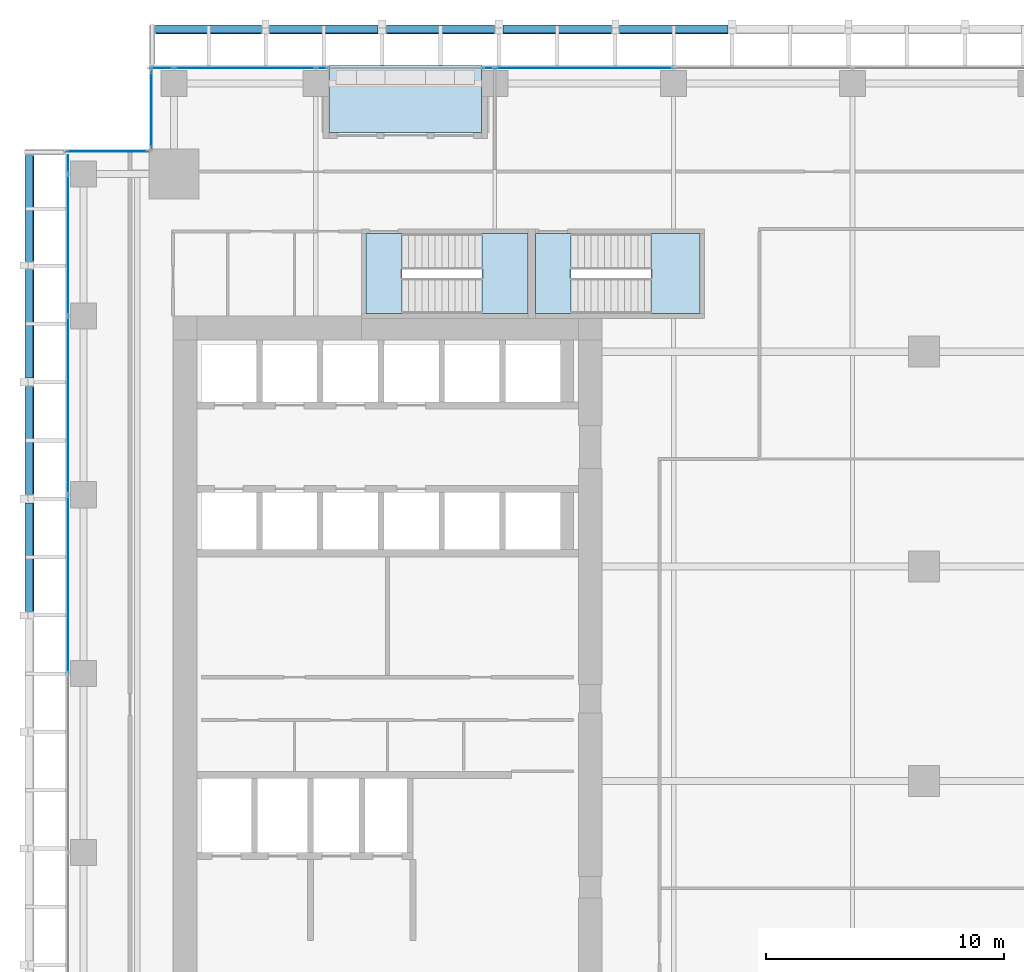
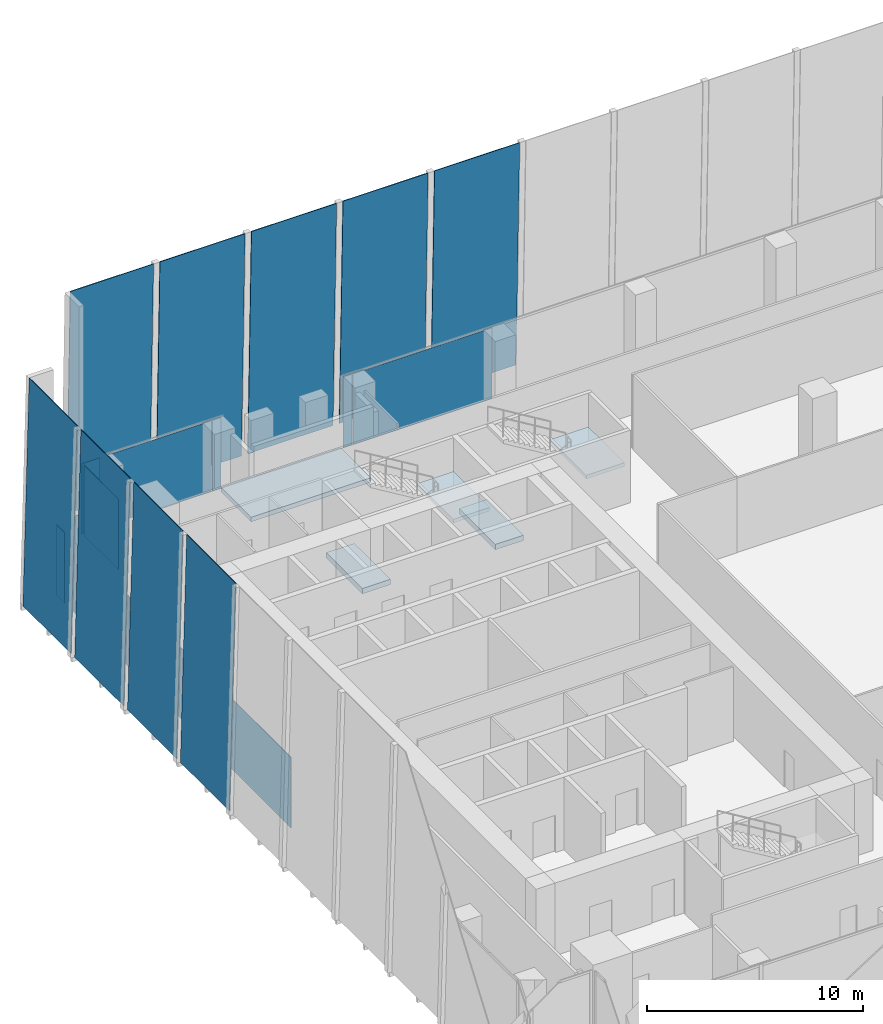
# One storey, part 26 of 36: 20 plates, 5 slabs, 7 elements without a shape of their own.
"""IFC4 building model written with IfcOpenShell, lengths in metres."""

from ifc_helpers import new_model, si_unit, direction, frame, origin, origin_2d, place, context, subcontext, project, spatial, polyline, rectangle, outline, extrude, source, transform, mapped, material, layer, layer_set, type_object, element, aggregate, save


model = new_model("IFC4")

# Units and contexts
model_context = context("Model", 3, precision=1e-05, world=origin(), true_north=direction((0.0, 1.0)))
body_context = subcontext(model_context, "Body", "Model", "MODEL_VIEW")
ifc_project = project(units=[si_unit("LENGTHUNIT", "METRE"), si_unit("AREAUNIT", "SQUARE_METRE"), si_unit("VOLUMEUNIT", "CUBIC_METRE"), si_unit("PLANEANGLEUNIT", "RADIAN"), si_unit("MASSUNIT", "GRAM", prefix="KILO")], contexts=[model_context])

# Site, building, storey
site_placement = place(None, origin())
site = spatial("IfcSite", under=ifc_project, at=site_placement, CompositionType="ELEMENT")
building_placement = place(site_placement, origin())
building = spatial("IfcBuilding", under=site, at=building_placement, Name="Khomas Fold Tower", CompositionType="ELEMENT")
storey_placement = place(building_placement, frame((0.0, 0.0, 141.10009765625)))
storey = spatial("IfcBuildingStorey", under=building, at=storey_placement, Name="L30", CompositionType="ELEMENT", Elevation=141.10009765625)

# Plates
ifc_material_1 = material(Name="Clear laminated glass", Category="glass")
ifc_layer_1 = layer(ifc_material_1, 0.0400390625)
ifc_layer_set_1 = layer_set([ifc_layer_1], Name="Clear laminated glass")
plate_type_1 = type_object("IfcPlateType", Name="SK-Clear laminated glass leaf", PredefinedType="SHEET", material=ifc_layer_set_1)
plate_1_placement = place(storey_placement, frame((5.27001953125, 54.203125, 0.0009765625), z_axis=(0.0, 0.9996570913, 0.026185870498), x_axis=(1.0, 0.0, 0.0)))
element("IfcPlate", 1, at=plate_1_placement, inside=storey, type_object=plate_type_1, Name="OUTER SKIN glass L30 N1", PredefinedType="SHEET", context=body_context, shape_type="SweptSolid", body=[
    extrude(outline(polyline([(0.0, 0.0), (4.448974609375, 0.0), (4.448974609375, -12.754373585666377), (0.0, -12.754373585666377), (0.0, 0.0)])), origin(), (0.0, 0.0, -1.0), 0.0400390625),
])
for number, where, z_axis, x_axis, name in (
    (2, (10.058837890625, 54.203125, 0.0009765625), (0.0, 0.9996570913, 0.026185870498), (1.0, 0.0, 0.0), "OUTER SKIN glass L30 N3"),
    (3, (14.94775390625, 54.203125, 0.0009765625), (0.0, 0.9996570913, 0.026185870498), (1.0, 0.0, 0.0), "OUTER SKIN glass L30 N5"),
    (4, (19.836669921875, 54.203125, 0.0009765625), (0.0, 0.9996570913, 0.026185870498), (1.0, 0.0, 0.0), "OUTER SKIN glass L30 N7"),
    (5, (24.7255859375, 54.203125, 0.0009765625), (0.0, 0.9996570913, 0.026185870498), (1.0, 0.0, 0.0), "OUTER SKIN glass L30 N9"),
    (6, (-0.203125, 29.614501953125, 0.0009765625), (-0.9996570913, 0.0, 0.026185870498), (0.0, 1.0, 0.0), "OUTER SKIN glass L30 W11"),
    (7, (-0.203125, 34.50341796875, 0.0009765625), (-0.9996570913, 0.0, 0.026185870498), (0.0, 1.0, 0.0), "OUTER SKIN glass L30 W13"),
    (8, (-0.203125, 39.392333984375, 0.0009765625), (-0.9996570913, 0.0, 0.026185870498), (0.0, 1.0, 0.0), "OUTER SKIN glass L30 W15"),
):
    element("IfcPlate", number, at=place(storey_placement, frame(where, z_axis=z_axis, x_axis=x_axis)), inside=storey, type_object=plate_type_1, Name=name, PredefinedType="SHEET", context=body_context, shape_type="SweptSolid", body=[
        extrude(outline(polyline([(0.0, 0.0), (4.548828125, 0.0), (4.548828125, -12.754373585666377), (0.0, -12.754373585666377), (0.0, 0.0)])), origin(), (0.0, 0.0, -1.0), 0.0400390625),
    ])
plate_2_placement = place(storey_placement, frame((-0.203125, 44.281005859375, 0.0009765625), z_axis=(-0.9996570913, 0.0, 0.026185870498), x_axis=(0.0, 1.0, 0.0)))
element("IfcPlate", 9, at=plate_2_placement, inside=storey, type_object=plate_type_1, Name="OUTER SKIN glass L30 W17", PredefinedType="SHEET", context=body_context, shape_type="SweptSolid", body=[
    extrude(outline(polyline([(0.0, 0.0), (4.448974609375, 0.0), (4.448974609375, -12.754373585666377), (0.0, -12.754373585666377), (0.0, 0.0)])), origin(), (0.0, 0.0, -1.0), 0.0400390625),
])

# Curtain wall, plate
ifc_material_2 = material(Name="Aluminium framed double glazing", Category="aluminium")
curtain_wall_type = type_object("IfcCurtainWallType", Name="SK-Unitised clear-glass wall, growing floors CW1", PredefinedType="NOTDEFINED", material=ifc_material_2)
curtain_wall_1_placement = place(storey_placement, origin())
curtain_wall_1 = element("IfcCurtainWall", 10, at=curtain_wall_1_placement, inside=storey, type_object=curtain_wall_type, Name="CW1 run L30 09-0", PredefinedType="NOTDEFINED")
ifc_material_3 = material(Name="Clear double glazed unit")
ifc_layer_2 = layer(ifc_material_3, 0.031982421875)
ifc_layer_set_2 = layer_set([ifc_layer_2], Name="Clear double glazed unit")
plate_type_2 = type_object("IfcPlateType", Name="SK-Unitised clear-glass wall, growing floors glass panel CW1-P", PredefinedType="CURTAIN_PANEL", material=ifc_layer_set_2)
shared_shape_1 = source(origin(), body_context, "Body", "SweptSolid", [
    extrude(rectangle(XDim=0.760009765625, YDim=0.031982421875, at=origin_2d()), origin(), (0.0, 0.0, 1.0), 3.97998046875),
])
plate_3_placement = place(storey_placement, frame((1.60009765625, 48.360107421875, 0.0), z_axis=(0.0, 0.0, 1.0), x_axis=(0.0, -1.0, 0.0)))
plate_3 = element("IfcPlate", 11, at=plate_3_placement, type_object=plate_type_2, Name="CW1 glass panel 1", PredefinedType="CURTAIN_PANEL", context=body_context, shape_type="MappedRepresentation", body=[
    mapped(shared_shape_1, transform((0.0, 0.0, 0.0))),
])

curtain_wall_2_placement = place(storey_placement, origin())
curtain_wall_2 = element("IfcCurtainWall", 12, at=curtain_wall_2_placement, inside=storey, type_object=curtain_wall_type, Name="CW1 run L30 06-1", PredefinedType="NOTDEFINED")
shared_shape_2 = source(origin(), body_context, "Body", "SweptSolid", [
    extrude(rectangle(XDim=5.889892578125, YDim=0.031982421875, at=origin_2d()), origin(), (0.0, 0.0, 1.0), 3.97998046875),
])
plate_4_placement = place(storey_placement, frame((9.02490234375, 52.39990234375, 0.0), z_axis=(0.0, 0.0, 1.0), x_axis=(-1.0, 0.0, 0.0)))
plate_4 = element("IfcPlate", 13, at=plate_4_placement, type_object=plate_type_2, Name="CW1 glass panel 2", PredefinedType="CURTAIN_PANEL", context=body_context, shape_type="MappedRepresentation", body=[
    mapped(shared_shape_2, transform((0.0, 0.0, 0.0))),
])

# Plate
plate_5_placement = place(storey_placement, frame((1.60009765625, 44.97509765625, 0.0), z_axis=(0.0, 0.0, 1.0), x_axis=(0.0, -1.0, 0.0)))
plate_5 = element("IfcPlate", 14, at=plate_5_placement, type_object=plate_type_2, Name="CW1 glass panel 2", PredefinedType="CURTAIN_PANEL", context=body_context, shape_type="MappedRepresentation", body=[
    mapped(shared_shape_2, transform((0.0, 0.0, 0.0))),
])

# Curtain wall, plate
curtain_wall_3_placement = place(storey_placement, origin())
curtain_wall_3 = element("IfcCurtainWall", 15, at=curtain_wall_3_placement, inside=storey, type_object=curtain_wall_type, Name="CW1 run L30 06-0", PredefinedType="NOTDEFINED")
shared_shape_3 = source(origin(), body_context, "Body", "SweptSolid", [
    extrude(rectangle(XDim=7.43994140625, YDim=0.031982421875, at=origin_2d()), origin(), (0.0, 0.0, 1.0), 3.97998046875),
])
plate_6_placement = place(storey_placement, frame((23.25, 52.39990234375, 0.0), z_axis=(0.0, 0.0, 1.0), x_axis=(-1.0, 0.0, 0.0)))
plate_6 = element("IfcPlate", 16, at=plate_6_placement, type_object=plate_type_2, Name="CW1 glass panel 5", PredefinedType="CURTAIN_PANEL", context=body_context, shape_type="MappedRepresentation", body=[
    mapped(shared_shape_3, transform((0.0, 0.0, 0.0))),
])

# Plate
plate_7_placement = place(storey_placement, frame((1.60009765625, 38.25, 0.0), z_axis=(0.0, 0.0, 1.0), x_axis=(0.0, -1.0, 0.0)))
plate_7 = element("IfcPlate", 17, at=plate_7_placement, type_object=plate_type_2, Name="CW1 glass panel 3", PredefinedType="CURTAIN_PANEL", context=body_context, shape_type="MappedRepresentation", body=[
    mapped(shared_shape_3, transform((0.0, 0.0, 0.0))),
])

plate_8_placement = place(storey_placement, frame((1.60009765625, 30.75, 0.0), z_axis=(0.0, 0.0, 1.0), x_axis=(0.0, -1.0, 0.0)))
plate_8 = element("IfcPlate", 18, at=plate_8_placement, type_object=plate_type_2, Name="CW1 glass panel 4", PredefinedType="CURTAIN_PANEL", context=body_context, shape_type="MappedRepresentation", body=[
    mapped(shared_shape_3, transform((0.0, 0.0, 0.0))),
])

aggregate(curtain_wall_1, [plate_3, plate_5, plate_7, plate_8])

shared_shape_4 = source(origin(), body_context, "Body", "SweptSolid", [
    extrude(rectangle(XDim=0.9599609375, YDim=0.031982421875, at=origin_2d()), origin(), (0.0, 0.0, 1.0), 3.97998046875),
])
plate_9_placement = place(storey_placement, frame((5.5400390625, 52.39990234375, 0.0), z_axis=(0.0, 0.0, 1.0), x_axis=(-1.0, 0.0, 0.0)))
plate_9 = element("IfcPlate", 19, at=plate_9_placement, type_object=plate_type_2, Name="CW1 glass panel 3", PredefinedType="CURTAIN_PANEL", context=body_context, shape_type="MappedRepresentation", body=[
    mapped(shared_shape_4, transform((0.0, 0.0, 0.0))),
])

# Curtain wall, plate
curtain_wall_4_placement = place(storey_placement, origin())
curtain_wall_4 = element("IfcCurtainWall", 20, at=curtain_wall_4_placement, inside=storey, type_object=curtain_wall_type, Name="CW1 corner return L30 07", PredefinedType="NOTDEFINED")
shared_shape_5 = source(origin(), body_context, "Body", "SweptSolid", [
    extrude(rectangle(XDim=3.179931640625, YDim=0.031982421875, at=origin_2d()), origin(), (0.0, 0.0, 1.0), 3.97998046875),
])
plate_10_placement = place(storey_placement, frame((5.10009765625, 50.64990234375, 0.0), z_axis=(0.0, 0.0, 1.0), x_axis=(0.0, -1.0, 0.0)))
plate_10 = element("IfcPlate", 21, at=plate_10_placement, type_object=plate_type_2, Name="CW1 glass panel 1", PredefinedType="CURTAIN_PANEL", context=body_context, shape_type="MappedRepresentation", body=[
    mapped(shared_shape_5, transform((0.0, 0.0, 0.0))),
])
aggregate(curtain_wall_4, [plate_10])

curtain_wall_5_placement = place(storey_placement, origin())
curtain_wall_5 = element("IfcCurtainWall", 22, at=curtain_wall_5_placement, inside=storey, type_object=curtain_wall_type, Name="CW1 corner return L30 08", PredefinedType="NOTDEFINED")
shared_shape_6 = source(origin(), body_context, "Body", "SweptSolid", [
    extrude(rectangle(XDim=3.3798828125, YDim=0.031982421875, at=origin_2d()), origin(), (0.0, 0.0, 1.0), 3.97998046875),
])
plate_11_placement = place(storey_placement, frame((3.25, 48.89990234375, 0.0), z_axis=(0.0, 0.0, 1.0), x_axis=(-1.0, 0.0, 0.0)))
plate_11 = element("IfcPlate", 23, at=plate_11_placement, type_object=plate_type_2, Name="CW1 glass panel 1", PredefinedType="CURTAIN_PANEL", context=body_context, shape_type="MappedRepresentation", body=[
    mapped(shared_shape_6, transform((0.0, 0.0, 0.0))),
])
aggregate(curtain_wall_5, [plate_11])

# Plate
shared_shape_7 = source(origin(), body_context, "Body", "SweptSolid", [
    extrude(rectangle(XDim=0.4599609375, YDim=0.031982421875, at=origin_2d()), origin(), (0.0, 0.0, 1.0), 3.97998046875),
])
plate_12_placement = place(storey_placement, frame((19.239990234375, 52.39990234375, 0.0), z_axis=(0.0, 0.0, 1.0), x_axis=(-1.0, 0.0, 0.0)))
plate_12 = element("IfcPlate", 24, at=plate_12_placement, type_object=plate_type_2, Name="CW1 glass panel 6", PredefinedType="CURTAIN_PANEL", context=body_context, shape_type="MappedRepresentation", body=[
    mapped(shared_shape_7, transform((0.0, 0.0, 0.0))),
])

aggregate(curtain_wall_3, [plate_6, plate_12])

plate_13_placement = place(storey_placement, frame((12.260009765625, 52.39990234375, 0.0), z_axis=(0.0, 0.0, 1.0), x_axis=(-1.0, 0.0, 0.0)))
plate_13 = element("IfcPlate", 25, at=plate_13_placement, type_object=plate_type_2, Name="CW1 glass panel 1", PredefinedType="CURTAIN_PANEL", context=body_context, shape_type="MappedRepresentation", body=[
    mapped(shared_shape_7, transform((0.0, 0.0, 0.0))),
])

aggregate(curtain_wall_2, [plate_13, plate_4, plate_9])

# Slab
ifc_material_4 = material(Name="Concrete C40/50", Category="concrete")
ifc_layer_3 = layer(ifc_material_4, 0.2548828125)
ifc_layer_set_3 = layer_set([ifc_layer_3], Name="Concrete C40/50")
slab_type_1 = type_object("IfcSlabType", Name="BL-Balcony deck 255", PredefinedType="FLOOR", material=ifc_layer_set_3)
shared_shape_8 = source(origin(), body_context, "Body", "SweptSolid", [
    extrude(outline(polyline([(12.550048828125, 49.699951171875), (18.949951171875, 49.699951171875), (18.949951171875, 52.5), (12.550048828125, 52.5), (12.550048828125, 49.699951171875)])), origin(), (0.0, 0.0, 1.0), 0.2548828125),
])
slab_1_placement = place(storey_placement, frame((0.0, 0.0, -0.300048828125)))
element("IfcSlab", 26, at=slab_1_placement, inside=storey, type_object=slab_type_1, Name="Balcony deck BAL-L30-N1", PredefinedType="FLOOR", context=body_context, shape_type="MappedRepresentation", body=[
    mapped(shared_shape_8, transform((0.0, 0.0, 0.0))),
])

# Stair, slab
ifc_material_5 = material(Name="Concrete C40/50", Category="concrete")
stair_type_1 = type_object("IfcStairType", Name="Stair ST1", PredefinedType="HALF_TURN_STAIR", material=ifc_material_5)
stair_1_placement = place(storey_placement, origin())
stair_1 = element("IfcStair", 27, at=stair_1_placement, inside=storey, type_object=stair_type_1, Name="L30 ST1", PredefinedType="HALF_TURN_STAIR")
ifc_material_6 = material(Name="Concrete C40/50", Category="concrete")
ifc_layer_4 = layer(ifc_material_6, 0.199951171875)
ifc_layer_set_4 = layer_set([ifc_layer_4], Name="Concrete C40/50")
slab_type_2 = type_object("IfcSlabType", Name="Stair landing 200", PredefinedType="LANDING", material=ifc_layer_set_4)
shared_shape_9 = source(origin(), body_context, "Body", "SweptSolid", [
    extrude(outline(polyline([(18.9599609375, 42.10009765625), (20.89990234375, 42.10009765625), (20.89990234375, 45.449951171875), (18.9599609375, 45.449951171875), (18.9599609375, 42.10009765625)])), origin(), (0.0, 0.0, 1.0), 0.199951171875),
])
slab_2_placement = place(storey_placement, frame((0.0, 0.0, 2.0)))
slab_2 = element("IfcSlab", 28, at=slab_2_placement, type_object=slab_type_2, Name="ST1 landing 1", PredefinedType="LANDING", context=body_context, shape_type="MappedRepresentation", body=[
    mapped(shared_shape_9, transform((0.0, 0.0, 0.0))),
])
aggregate(stair_1, [slab_2])

# Slab
ifc_material_7 = material(Name="Concrete C40/50", Category="concrete")
ifc_layer_5 = layer(ifc_material_7, 0.300048828125)
ifc_layer_set_5 = layer_set([ifc_layer_5], Name="Concrete C40/50")
slab_type_3 = type_object("IfcSlabType", Name="Stair floor landing 300", PredefinedType="LANDING", material=ifc_layer_set_5)
shared_shape_10 = source(origin(), body_context, "Body", "SweptSolid", [
    extrude(outline(polyline([(15.60009765625, 42.10009765625), (14.10009765625, 42.10009765625), (14.10009765625, 45.449951171875), (15.60009765625, 45.449951171875), (15.60009765625, 42.10009765625)])), origin(), (0.0, 0.0, 1.0), 0.300048828125),
])
slab_3_placement = place(storey_placement, frame((0.0, 0.0, -0.300048828125)))
element("IfcSlab", 29, at=slab_3_placement, inside=storey, type_object=slab_type_3, Name="ST1 floor landing", PredefinedType="LANDING", context=body_context, shape_type="MappedRepresentation", body=[
    mapped(shared_shape_10, transform((0.0, 0.0, 0.0))),
])

# Stair, slab
ifc_material_8 = material(Name="Concrete C40/50", Category="concrete")
stair_type_2 = type_object("IfcStairType", Name="Stair ST3", PredefinedType="HALF_TURN_STAIR", material=ifc_material_8)
stair_2_placement = place(storey_placement, origin())
stair_2 = element("IfcStair", 30, at=stair_2_placement, inside=storey, type_object=stair_type_2, Name="L30 ST3", PredefinedType="HALF_TURN_STAIR")
shared_shape_11 = source(origin(), body_context, "Body", "SweptSolid", [
    extrude(outline(polyline([(26.06005859375, 42.10009765625), (28.10009765625, 42.10009765625), (28.10009765625, 45.449951171875), (26.06005859375, 45.449951171875), (26.06005859375, 42.10009765625)])), origin(), (0.0, 0.0, 1.0), 0.199951171875),
])
slab_4_placement = place(storey_placement, frame((0.0, 0.0, 2.0)))
slab_4 = element("IfcSlab", 31, at=slab_4_placement, type_object=slab_type_2, Name="ST3 landing 1", PredefinedType="LANDING", context=body_context, shape_type="MappedRepresentation", body=[
    mapped(shared_shape_11, transform((0.0, 0.0, 0.0))),
])
aggregate(stair_2, [slab_4])

# Slab
shared_shape_12 = source(origin(), body_context, "Body", "SweptSolid", [
    extrude(outline(polyline([(22.699951171875, 42.10009765625), (21.199951171875, 42.10009765625), (21.199951171875, 45.449951171875), (22.699951171875, 45.449951171875), (22.699951171875, 42.10009765625)])), origin(), (0.0, 0.0, 1.0), 0.300048828125),
])
slab_5_placement = place(storey_placement, frame((0.0, 0.0, -0.300048828125)))
element("IfcSlab", 32, at=slab_5_placement, inside=storey, type_object=slab_type_3, Name="ST3 floor landing", PredefinedType="LANDING", context=body_context, shape_type="MappedRepresentation", body=[
    mapped(shared_shape_12, transform((0.0, 0.0, 0.0))),
])

save(model, "model.ifc")
